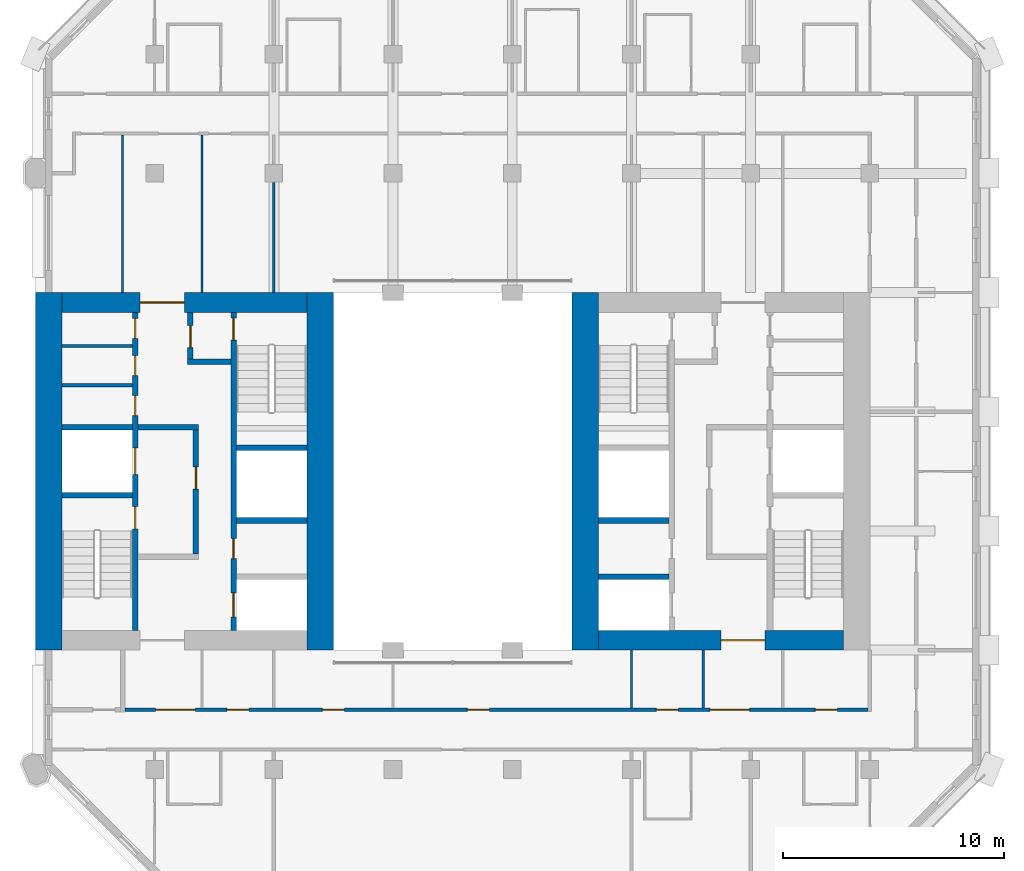
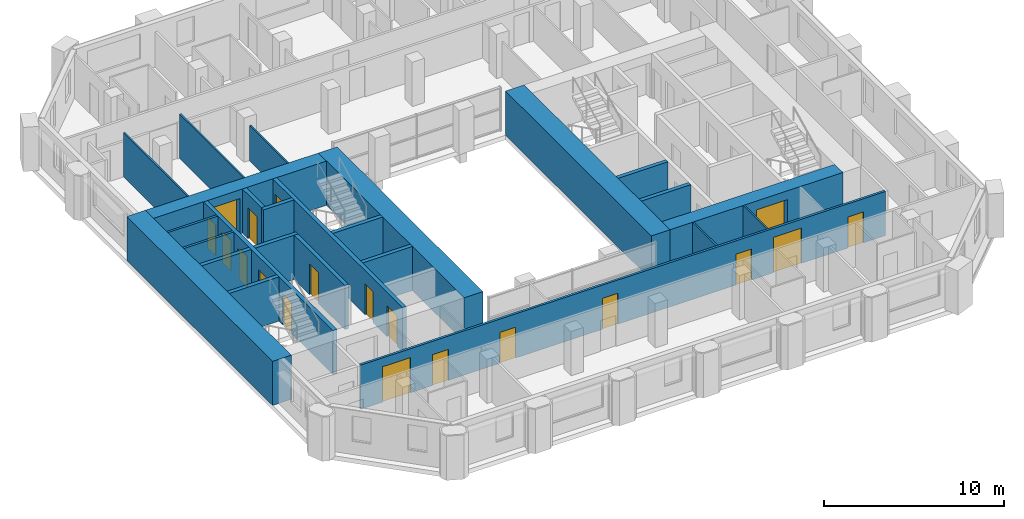
# One storey, part 5 of 12: 25 walls, 19 doors, 19 openings.
"""IFC4 building model written with IfcOpenShell, lengths in metres."""

from ifc_helpers import new_model, si_unit, direction, frame, frame_2d, origin, place, context, subcontext, project, spatial, rectangle, extrude, material, layer, layer_set, type_object, element, fill, save


model = new_model("IFC4")

# Units and contexts
model_context = context("Model", 3, precision=1e-05, world=origin(), true_north=direction((0.0, 1.0)))
body_context = subcontext(model_context, "Body", "Model", "MODEL_VIEW")
ifc_project = project(units=[si_unit("LENGTHUNIT", "METRE"), si_unit("AREAUNIT", "SQUARE_METRE"), si_unit("VOLUMEUNIT", "CUBIC_METRE"), si_unit("PLANEANGLEUNIT", "RADIAN"), si_unit("MASSUNIT", "GRAM", prefix="KILO")], contexts=[model_context])

# Site, building, storey
site_placement = place(None, origin())
site = spatial("IfcSite", under=ifc_project, at=site_placement, CompositionType="ELEMENT")
building_placement = place(site_placement, origin())
building = spatial("IfcBuilding", under=site, at=building_placement, Name="Tabaq Tower and Sports Hall", CompositionType="ELEMENT")
storey_placement = place(building_placement, frame((0.0, 0.0, 190.60009765625)))
storey = spatial("IfcBuildingStorey", under=building, at=storey_placement, Name="L46", CompositionType="ELEMENT", Elevation=190.60009765625)

# Walls
ifc_material_1 = material(Name="Blockwork", Category="masonry")
ifc_layer_1 = layer(ifc_material_1, 0.14990234375)
ifc_layer_set_1 = layer_set([ifc_layer_1], Name="Core room partition 150 Blockwork")
wall_type_1 = type_object("IfcWallType", Name="Core room partition 150 Blockwork", PredefinedType="PARTITIONING", material=ifc_layer_set_1)
for number, where, z_axis, x_axis, name in (
    (1, (6.60009765625, 28.200927734375, 0.0), (0.0, 0.0, 1.0), (1.0, 0.0, 0.0), "Core room partition W L46"),
    (2, (6.60009765625, 29.97705078125, 0.0), (0.0, 0.0, 1.0), (1.0, 0.0, 0.0), "Core room partition W L46"),
):
    element("IfcWall", number, at=place(storey_placement, frame(where, z_axis=z_axis, x_axis=x_axis)), inside=storey, type_object=wall_type_1, Name=name, PredefinedType="PARTITIONING", context=body_context, shape_type="SweptSolid", body=[
        extrude(rectangle(XDim=3.199951171875, YDim=0.14990234375, at=frame_2d((1.60009765625, 0.0))), origin(), (0.0, 0.0, 1.0), 3.0),
    ])
ifc_material_2 = material(Name="Concrete C50/60", Category="concrete")
ifc_layer_2 = layer(ifc_material_2, 1.199951171875)
ifc_layer_set_2 = layer_set([ifc_layer_2], Name="Core wall 1200 Concrete C50/60")
wall_type_2 = type_object("IfcWallType", Name="Core wall 1200 Concrete C50/60", PredefinedType="SOLIDWALL", material=ifc_layer_set_2)
for number, where, z_axis, x_axis, name in (
    (3, (6.0, 16.199951171875, 0.0), (0.0, 0.0, 1.0), (0.0, 1.0, 0.0), "Core wall W L46"),
    (4, (18.300048828125, 32.39990234375, 0.0), (0.0, 0.0, 1.0), (0.0, -1.0, 0.0), "Core wall W L46"),
    (5, (30.300048828125, 16.199951171875, 0.0), (0.0, 0.0, 1.0), (0.0, 1.0, 0.0), "Core wall E L46"),
):
    element("IfcWall", number, at=place(storey_placement, frame(where, z_axis=z_axis, x_axis=x_axis)), inside=storey, type_object=wall_type_2, Name=name, PredefinedType="SOLIDWALL", context=body_context, shape_type="SweptSolid", body=[
        extrude(rectangle(XDim=16.199951171875, YDim=1.199951171875, at=frame_2d((8.10009765625, 0.0))), origin(), (0.0, 0.0, 1.0), 3.0),
    ])

# Wall, opening, door
ifc_material_3 = material(Name="Concrete C50/60", Category="concrete")
ifc_layer_3 = layer(ifc_material_3, 0.89990234375)
ifc_layer_set_3 = layer_set([ifc_layer_3], Name="Core wall 900 Concrete C50/60")
wall_type_3 = type_object("IfcWallType", Name="Core wall 900 Concrete C50/60", PredefinedType="SOLIDWALL", material=ifc_layer_set_3)
wall_1_placement = place(storey_placement, frame((6.60009765625, 31.949951171875, 0.0), z_axis=(0.0, 0.0, 1.0), x_axis=(1.0, 0.0, 0.0)))
wall_1 = element("IfcWall", 6, at=wall_1_placement, inside=storey, type_object=wall_type_3, Name="Core wall W L46", PredefinedType="SOLIDWALL", context=body_context, shape_type="SweptSolid", body=[
    extrude(rectangle(XDim=11.099853515625, YDim=0.89990234375, at=frame_2d((5.5498046875, 0.0))), origin(), (0.0, 0.0, 1.0), 3.0),
])
opening_1_placement = place(wall_1_placement, frame((3.550048828125, 0.0, 0.0)))
opening_1 = element("IfcOpeningElement", 7, at=opening_1_placement, cuts=wall_1, Name="Opening PD-WL46-02", PredefinedType="OPENING", context=body_context, shape_type="SweptSolid", body=[
    extrude(rectangle(XDim=2.0, YDim=2.39990234375, at=frame_2d((1.0, 1.199951171875))), frame((0.0, 0.449951171875, 0.0), z_axis=(0.0, -1.0, 0.0), x_axis=(1.0, 0.0, 0.0)), (0.0, 0.0, 1.0), 0.89990234375),
])
ifc_material_4 = material(Name="Steel fire door", Category="steel")
door_type_1 = type_object("IfcDoorType", Name="Core entrance door 2000", OperationType="DOUBLE_DOOR_SINGLE_SWING", PredefinedType="DOOR", material=ifc_material_4)
door_1_placement = place(opening_1_placement, origin())
door_1 = element("IfcDoor", 8, at=door_1_placement, inside=storey, type_object=door_type_1, Name="Core entrance north W L46", OperationType="DOUBLE_DOOR_SINGLE_SWING", OverallHeight=2.39990234375, OverallWidth=2.0, PredefinedType="DOOR", context=body_context, shape_type="SweptSolid", body=[
    extrude(rectangle(XDim=2.0, YDim=2.39990234375, at=frame_2d((1.0, 1.199951171875))), frame((0.0, 0.02490234375, 0.0), z_axis=(0.0, -1.0, 0.0), x_axis=(1.0, 0.0, 0.0)), (0.0, 0.0, 1.0), 0.050048828125),
])
fill(opening_1, door_1)

wall_2_placement = place(storey_placement, frame((42.0, 16.64990234375, 0.0), z_axis=(0.0, 0.0, 1.0), x_axis=(-1.0, 0.0, 0.0)))
wall_2 = element("IfcWall", 9, at=wall_2_placement, inside=storey, type_object=wall_type_3, Name="Core wall E L46", PredefinedType="SOLIDWALL", context=body_context, shape_type="SweptSolid", body=[
    extrude(rectangle(XDim=11.10009765625, YDim=0.89990234375, at=frame_2d((5.550048828125, 0.0))), origin(), (0.0, 0.0, 1.0), 3.0),
])
opening_2_placement = place(wall_2_placement, frame((3.550048828125, 0.0, 0.0)))
opening_2 = element("IfcOpeningElement", 10, at=opening_2_placement, cuts=wall_2, Name="Opening PD-EL46-01", PredefinedType="OPENING", context=body_context, shape_type="SweptSolid", body=[
    extrude(rectangle(XDim=2.0, YDim=2.39990234375, at=frame_2d((1.0, 1.199951171875))), frame((0.0, 0.449951171875, 0.0), z_axis=(0.0, -1.0, 0.0), x_axis=(1.0, 0.0, 0.0)), (0.0, 0.0, 1.0), 0.89990234375),
])
door_2_placement = place(opening_2_placement, origin())
door_2 = element("IfcDoor", 11, at=door_2_placement, inside=storey, type_object=door_type_1, Name="Core entrance south E L46", OperationType="DOUBLE_DOOR_SINGLE_SWING", OverallHeight=2.39990234375, OverallWidth=2.0, PredefinedType="DOOR", context=body_context, shape_type="SweptSolid", body=[
    extrude(rectangle(XDim=2.0, YDim=2.39990234375, at=frame_2d((1.0, 1.199951171875))), frame((0.0, 0.02490234375, 0.0), z_axis=(0.0, -1.0, 0.0), x_axis=(1.0, 0.0, 0.0)), (0.0, 0.0, 1.0), 0.050048828125),
])
fill(opening_2, door_2)

# Walls
ifc_material_5 = material(Name="Gypsum board on steel studs", Category="steel")
ifc_layer_4 = layer(ifc_material_5, 0.10009765625)
ifc_layer_set_4 = layer_set([ifc_layer_4], Name="Partition 100 Gypsum board")
wall_type_4 = type_object("IfcWallType", Name="Partition 100 Gypsum board", PredefinedType="PARTITIONING", material=ifc_layer_set_4)
wall_3_placement = place(storey_placement, frame((16.199951171875, 37.3798828125, 0.0), z_axis=(0.0, 0.0, 1.0), x_axis=(0.0, -1.0, 0.0)))
element("IfcWall", 12, at=wall_3_placement, inside=storey, type_object=wall_type_4, Name="Partition wall L46", PredefinedType="PARTITIONING", context=body_context, shape_type="SweptSolid", body=[
    extrude(rectangle(XDim=4.97998046875, YDim=0.10009765625, at=frame_2d((2.489990234375, 0.0))), origin(), (0.0, 0.0, 1.0), 2.39990234375),
])
for number, where, z_axis, x_axis, name in (
    (13, (9.35009765625, 39.52490234375, 0.0), (0.0, 0.0, 1.0), (0.0, -1.0, 0.0), "Partition wall L46"),
    (14, (12.949951171875, 32.39990234375, 0.0), (0.0, 0.0, 1.0), (0.0, 1.0, 0.0), "Partition wall L46"),
):
    element("IfcWall", number, at=place(storey_placement, frame(where, z_axis=z_axis, x_axis=x_axis)), inside=storey, type_object=wall_type_4, Name=name, PredefinedType="PARTITIONING", context=body_context, shape_type="SweptSolid", body=[
        extrude(rectangle(XDim=7.125, YDim=0.10009765625, at=frame_2d((3.5625, 0.0))), origin(), (0.0, 0.0, 1.0), 3.0),
    ])
for number, where, z_axis, x_axis, name in (
    (15, (32.39990234375, 13.574951171875, 0.0), (0.0, 0.0, 1.0), (0.0, 1.0, 0.0), "Partition wall L46"),
    (16, (35.64990234375, 16.199951171875, 0.0), (0.0, 0.0, 1.0), (0.0, -1.0, 0.0), "Partition wall L46"),
):
    element("IfcWall", number, at=place(storey_placement, frame(where, z_axis=z_axis, x_axis=x_axis)), inside=storey, type_object=wall_type_4, Name=name, PredefinedType="PARTITIONING", context=body_context, shape_type="SweptSolid", body=[
        extrude(rectangle(XDim=2.625, YDim=0.10009765625, at=frame_2d((1.3125, 0.0))), origin(), (0.0, 0.0, 1.0), 3.0),
    ])

# Wall, openings, doors
ifc_material_6 = material(Name="Blockwork", Category="masonry")
ifc_layer_5 = layer(ifc_material_6, 0.14990234375)
ifc_layer_set_5 = layer_set([ifc_layer_5], Name="Separating wall 150 Blockwork")
wall_type_5 = type_object("IfcWallType", Name="Separating wall 150 Blockwork", PredefinedType="PARTITIONING", material=ifc_layer_set_5)
wall_4_placement = place(storey_placement, frame((9.449951171875, 13.5, 0.0), z_axis=(0.0, 0.0, 1.0), x_axis=(1.0, 0.0, 0.0)))
wall_4 = element("IfcWall", 17, at=wall_4_placement, inside=storey, type_object=wall_type_5, Name="Separating wall L46", PredefinedType="PARTITIONING", context=body_context, shape_type="SweptSolid", body=[
    extrude(rectangle(XDim=33.675048828125, YDim=0.14990234375, at=frame_2d((16.83740234375, 0.0))), origin(), (0.0, 0.0, 1.0), 3.0),
])
opening_3_placement = place(wall_4_placement, frame((8.949951171875, 0.0, 0.0)))
opening_3 = element("IfcOpeningElement", 18, at=opening_3_placement, cuts=wall_4, Name="Opening L46-018", PredefinedType="OPENING", context=body_context, shape_type="SweptSolid", body=[
    extrude(rectangle(XDim=1.0, YDim=2.10009765625, at=frame_2d((0.5, 1.050048828125))), frame((0.0, 0.074951171875, 0.0), z_axis=(0.0, -1.0, 0.0), x_axis=(1.0, 0.0, 0.0)), (0.0, 0.0, 1.0), 0.14990234375),
])
opening_4_placement = place(wall_4_placement, frame((15.51708984375, 0.0, 0.0)))
opening_4 = element("IfcOpeningElement", 19, at=opening_4_placement, cuts=wall_4, Name="Opening L46-019", PredefinedType="OPENING", context=body_context, shape_type="SweptSolid", body=[
    extrude(rectangle(XDim=1.0, YDim=2.10009765625, at=frame_2d((0.5, 1.050048828125))), frame((0.0, 0.074951171875, 0.0), z_axis=(0.0, -1.0, 0.0), x_axis=(1.0, 0.0, 0.0)), (0.0, 0.0, 1.0), 0.14990234375),
])
opening_5_placement = place(wall_4_placement, frame((24.074951171875, 0.0, 0.0)))
opening_5 = element("IfcOpeningElement", 20, at=opening_5_placement, cuts=wall_4, Name="Opening L46-022", PredefinedType="OPENING", context=body_context, shape_type="SweptSolid", body=[
    extrude(rectangle(XDim=1.0, YDim=2.10009765625, at=frame_2d((0.5, 1.050048828125))), frame((0.0, 0.074951171875, 0.0), z_axis=(0.0, -1.0, 0.0), x_axis=(1.0, 0.0, 0.0)), (0.0, 0.0, 1.0), 0.14990234375),
])
opening_6_placement = place(wall_4_placement, frame((31.27490234375, 0.0, 0.0)))
opening_6 = element("IfcOpeningElement", 21, at=opening_6_placement, cuts=wall_4, Name="Opening L46-023", PredefinedType="OPENING", context=body_context, shape_type="SweptSolid", body=[
    extrude(rectangle(XDim=1.0, YDim=2.10009765625, at=frame_2d((0.5, 1.050048828125))), frame((0.0, 0.074951171875, 0.0), z_axis=(0.0, -1.0, 0.0), x_axis=(1.0, 0.0, 0.0)), (0.0, 0.0, 1.0), 0.14990234375),
])
opening_7_placement = place(wall_4_placement, frame((4.625, 0.0, 0.0)))
opening_7 = element("IfcOpeningElement", 22, at=opening_7_placement, cuts=wall_4, Name="Opening L46-024", PredefinedType="OPENING", context=body_context, shape_type="SweptSolid", body=[
    extrude(rectangle(XDim=1.0, YDim=2.10009765625, at=frame_2d((0.5, 1.050048828125))), frame((0.0, 0.074951171875, 0.0), z_axis=(0.0, -1.0, 0.0), x_axis=(1.0, 0.0, 0.0)), (0.0, 0.0, 1.0), 0.14990234375),
])
opening_8_placement = place(wall_4_placement, frame((1.39990234375, 0.0, 0.0)))
opening_8 = element("IfcOpeningElement", 23, at=opening_8_placement, cuts=wall_4, Name="Opening L46-040", PredefinedType="OPENING", context=body_context, shape_type="SweptSolid", body=[
    extrude(rectangle(XDim=1.800048828125, YDim=2.39990234375, at=frame_2d((0.89990234375, 1.199951171875))), frame((0.0, 0.074951171875, 0.0), z_axis=(0.0, -1.0, 0.0), x_axis=(1.0, 0.0, 0.0)), (0.0, 0.0, 1.0), 0.14990234375),
])
opening_9_placement = place(wall_4_placement, frame((26.5, 0.0, 0.0)))
opening_9 = element("IfcOpeningElement", 24, at=opening_9_placement, cuts=wall_4, Name="Opening L46-041", PredefinedType="OPENING", context=body_context, shape_type="SweptSolid", body=[
    extrude(rectangle(XDim=1.800048828125, YDim=2.39990234375, at=frame_2d((0.89990234375, 1.199951171875))), frame((0.0, 0.074951171875, 0.0), z_axis=(0.0, -1.0, 0.0), x_axis=(1.0, 0.0, 0.0)), (0.0, 0.0, 1.0), 0.14990234375),
])
ifc_material_7 = material(Name="Timber leaf in steel frame", Category="steel")
door_type_2 = type_object("IfcDoorType", Name="Internal door 1000 left hand", OperationType="SINGLE_SWING_LEFT", PredefinedType="DOOR", material=ifc_material_7)
door_3_placement = place(opening_6_placement, origin())
door_3 = element("IfcDoor", 25, at=door_3_placement, inside=storey, type_object=door_type_2, Name="Internal door L46-023", OperationType="SINGLE_SWING_LEFT", OverallHeight=2.10009765625, OverallWidth=1.0, PredefinedType="DOOR", context=body_context, shape_type="SweptSolid", body=[
    extrude(rectangle(XDim=1.0, YDim=2.10009765625, at=frame_2d((0.5, 1.050048828125))), frame((0.0, 0.02490234375, 0.0), z_axis=(0.0, -1.0, 0.0), x_axis=(1.0, 0.0, 0.0)), (0.0, 0.0, 1.0), 0.050048828125),
])
fill(opening_6, door_3)
ifc_material_8 = material(Name="Timber leaf in steel frame", Category="steel")
door_type_3 = type_object("IfcDoorType", Name="Internal door 1000 right hand", OperationType="SINGLE_SWING_RIGHT", PredefinedType="DOOR", material=ifc_material_8)
door_4_placement = place(opening_3_placement, origin())
door_4 = element("IfcDoor", 26, at=door_4_placement, inside=storey, type_object=door_type_3, Name="Internal door L46-018", OperationType="SINGLE_SWING_RIGHT", OverallHeight=2.10009765625, OverallWidth=1.0, PredefinedType="DOOR", context=body_context, shape_type="SweptSolid", body=[
    extrude(rectangle(XDim=1.0, YDim=2.10009765625, at=frame_2d((0.5, 1.050048828125))), frame((0.0, 0.02490234375, 0.0), z_axis=(0.0, -1.0, 0.0), x_axis=(1.0, 0.0, 0.0)), (0.0, 0.0, 1.0), 0.050048828125),
])
fill(opening_3, door_4)
door_5_placement = place(opening_4_placement, origin())
door_5 = element("IfcDoor", 27, at=door_5_placement, inside=storey, type_object=door_type_3, Name="Internal door L46-019", OperationType="SINGLE_SWING_RIGHT", OverallHeight=2.10009765625, OverallWidth=1.0, PredefinedType="DOOR", context=body_context, shape_type="SweptSolid", body=[
    extrude(rectangle(XDim=1.0, YDim=2.10009765625, at=frame_2d((0.5, 1.050048828125))), frame((0.0, 0.02490234375, 0.0), z_axis=(0.0, -1.0, 0.0), x_axis=(1.0, 0.0, 0.0)), (0.0, 0.0, 1.0), 0.050048828125),
])
fill(opening_4, door_5)
door_6_placement = place(opening_5_placement, origin())
door_6 = element("IfcDoor", 28, at=door_6_placement, inside=storey, type_object=door_type_3, Name="Internal door L46-022", OperationType="SINGLE_SWING_RIGHT", OverallHeight=2.10009765625, OverallWidth=1.0, PredefinedType="DOOR", context=body_context, shape_type="SweptSolid", body=[
    extrude(rectangle(XDim=1.0, YDim=2.10009765625, at=frame_2d((0.5, 1.050048828125))), frame((0.0, 0.02490234375, 0.0), z_axis=(0.0, -1.0, 0.0), x_axis=(1.0, 0.0, 0.0)), (0.0, 0.0, 1.0), 0.050048828125),
])
fill(opening_5, door_6)
door_7_placement = place(opening_7_placement, origin())
door_7 = element("IfcDoor", 29, at=door_7_placement, inside=storey, type_object=door_type_3, Name="Internal door L46-024", OperationType="SINGLE_SWING_RIGHT", OverallHeight=2.10009765625, OverallWidth=1.0, PredefinedType="DOOR", context=body_context, shape_type="SweptSolid", body=[
    extrude(rectangle(XDim=1.0, YDim=2.10009765625, at=frame_2d((0.5, 1.050048828125))), frame((0.0, 0.02490234375, 0.0), z_axis=(0.0, -1.0, 0.0), x_axis=(1.0, 0.0, 0.0)), (0.0, 0.0, 1.0), 0.050048828125),
])
fill(opening_7, door_7)
ifc_material_9 = material(Name="Timber leaf in steel frame", Category="steel")
door_type_4 = type_object("IfcDoorType", Name="Internal door 1800", OperationType="DOUBLE_DOOR_SINGLE_SWING", PredefinedType="DOOR", material=ifc_material_9)
door_8_placement = place(opening_8_placement, origin())
door_8 = element("IfcDoor", 30, at=door_8_placement, inside=storey, type_object=door_type_4, Name="Internal door L46-040", OperationType="DOUBLE_DOOR_SINGLE_SWING", OverallHeight=2.39990234375, OverallWidth=1.800048828125, PredefinedType="DOOR", context=body_context, shape_type="SweptSolid", body=[
    extrude(rectangle(XDim=1.800048828125, YDim=2.39990234375, at=frame_2d((0.89990234375, 1.199951171875))), frame((0.0, 0.02490234375, 0.0), z_axis=(0.0, -1.0, 0.0), x_axis=(1.0, 0.0, 0.0)), (0.0, 0.0, 1.0), 0.050048828125),
])
fill(opening_8, door_8)
door_9_placement = place(opening_9_placement, origin())
door_9 = element("IfcDoor", 31, at=door_9_placement, inside=storey, type_object=door_type_4, Name="Internal door L46-041", OperationType="DOUBLE_DOOR_SINGLE_SWING", OverallHeight=2.39990234375, OverallWidth=1.800048828125, PredefinedType="DOOR", context=body_context, shape_type="SweptSolid", body=[
    extrude(rectangle(XDim=1.800048828125, YDim=2.39990234375, at=frame_2d((0.89990234375, 1.199951171875))), frame((0.0, 0.02490234375, 0.0), z_axis=(0.0, -1.0, 0.0), x_axis=(1.0, 0.0, 0.0)), (0.0, 0.0, 1.0), 0.050048828125),
])
fill(opening_9, door_9)

ifc_material_10 = material(Name="Concrete C40/50", Category="concrete")
ifc_layer_6 = layer(ifc_material_10, 0.25)
ifc_layer_set_6 = layer_set([ifc_layer_6], Name="Shaft and stair wall 250 Concrete C40/50")
wall_type_6 = type_object("IfcWallType", Name="Shaft and stair wall 250 Concrete C40/50", PredefinedType="SOLIDWALL", material=ifc_layer_set_6)
wall_5_placement = place(storey_placement, frame((9.925048828125, 17.10009765625, 0.0), z_axis=(0.0, 0.0, 1.0), x_axis=(0.0, 1.0, 0.0)))
wall_5 = element("IfcWall", 32, at=wall_5_placement, inside=storey, type_object=wall_type_6, Name="Shaft wall W L46", PredefinedType="SOLIDWALL", context=body_context, shape_type="SweptSolid", body=[
    extrude(rectangle(XDim=14.39990234375, YDim=0.25, at=frame_2d((7.199951171875, 0.0))), origin(), (0.0, 0.0, 1.0), 3.0),
])
opening_10_placement = place(wall_5_placement, frame((4.60009765625, 0.0, 0.0)))
opening_10 = element("IfcOpeningElement", 33, at=opening_10_placement, cuts=wall_5, Name="Opening SD-WL46-03", PredefinedType="OPENING", context=body_context, shape_type="SweptSolid", body=[
    extrude(rectangle(XDim=1.0, YDim=2.10009765625, at=frame_2d((0.5, 1.050048828125))), frame((0.0, 0.125, 0.0), z_axis=(0.0, -1.0, 0.0), x_axis=(1.0, 0.0, 0.0)), (0.0, 0.0, 1.0), 0.25),
])
opening_11_placement = place(wall_5_placement, frame((7.0625, 0.0, 0.0)))
opening_11 = element("IfcOpeningElement", 34, at=opening_11_placement, cuts=wall_5, Name="Opening LD-FF1-L46", PredefinedType="OPENING", context=body_context, shape_type="SweptSolid", body=[
    extrude(rectangle(XDim=1.199951171875, YDim=2.10009765625, at=frame_2d((0.60009765625, 1.050048828125))), frame((0.0, 0.125, 0.0), z_axis=(0.0, -1.0, 0.0), x_axis=(1.0, 0.0, 0.0)), (0.0, 0.0, 1.0), 0.25),
])
opening_12_placement = place(wall_5_placement, frame((9.7255859375, 0.0, 0.0)))
opening_12 = element("IfcOpeningElement", 35, at=opening_12_placement, cuts=wall_5, Name="Opening RD-WL46-09", PredefinedType="OPENING", context=body_context, shape_type="SweptSolid", body=[
    extrude(rectangle(XDim=0.89990234375, YDim=2.10009765625, at=frame_2d((0.449951171875, 1.050048828125))), frame((0.0, 0.125, 0.0), z_axis=(0.0, -1.0, 0.0), x_axis=(1.0, 0.0, 0.0)), (0.0, 0.0, 1.0), 0.25),
])
opening_13_placement = place(wall_5_placement, frame((11.5390625, 0.0, 0.0)))
opening_13 = element("IfcOpeningElement", 36, at=opening_13_placement, cuts=wall_5, Name="Opening RD-WL46-10", PredefinedType="OPENING", context=body_context, shape_type="SweptSolid", body=[
    extrude(rectangle(XDim=0.89990234375, YDim=2.10009765625, at=frame_2d((0.449951171875, 1.050048828125))), frame((0.0, 0.125, 0.0), z_axis=(0.0, -1.0, 0.0), x_axis=(1.0, 0.0, 0.0)), (0.0, 0.0, 1.0), 0.25),
])
opening_14_placement = place(wall_5_placement, frame((13.22607421875, 0.0, 0.0)))
opening_14 = element("IfcOpeningElement", 37, at=opening_14_placement, cuts=wall_5, Name="Opening RD-WL46-11", PredefinedType="OPENING", context=body_context, shape_type="SweptSolid", body=[
    extrude(rectangle(XDim=0.89990234375, YDim=2.10009765625, at=frame_2d((0.449951171875, 1.050048828125))), frame((0.0, 0.125, 0.0), z_axis=(0.0, -1.0, 0.0), x_axis=(1.0, 0.0, 0.0)), (0.0, 0.0, 1.0), 0.25),
])
ifc_material_11 = material(Name="Steel fire door", Category="steel")
door_type_5 = type_object("IfcDoorType", Name="Core room door 900", OperationType="SINGLE_SWING_LEFT", PredefinedType="DOOR", material=ifc_material_11)
door_10_placement = place(opening_12_placement, origin())
door_10 = element("IfcDoor", 38, at=door_10_placement, inside=storey, type_object=door_type_5, Name="Door Accessible WC W L46", OperationType="SINGLE_SWING_LEFT", OverallHeight=2.10009765625, OverallWidth=0.89990234375, PredefinedType="DOOR", context=body_context, shape_type="SweptSolid", body=[
    extrude(rectangle(XDim=0.89990234375, YDim=2.10009765625, at=frame_2d((0.449951171875, 1.050048828125))), frame((0.0, 0.02490234375, 0.0), z_axis=(0.0, -1.0, 0.0), x_axis=(1.0, 0.0, 0.0)), (0.0, 0.0, 1.0), 0.050048828125),
])
fill(opening_12, door_10)
door_11_placement = place(opening_13_placement, origin())
door_11 = element("IfcDoor", 39, at=door_11_placement, inside=storey, type_object=door_type_5, Name="Door Unisex WC W L46", OperationType="SINGLE_SWING_LEFT", OverallHeight=2.10009765625, OverallWidth=0.89990234375, PredefinedType="DOOR", context=body_context, shape_type="SweptSolid", body=[
    extrude(rectangle(XDim=0.89990234375, YDim=2.10009765625, at=frame_2d((0.449951171875, 1.050048828125))), frame((0.0, 0.02490234375, 0.0), z_axis=(0.0, -1.0, 0.0), x_axis=(1.0, 0.0, 0.0)), (0.0, 0.0, 1.0), 0.050048828125),
])
fill(opening_13, door_11)
door_12_placement = place(opening_14_placement, origin())
door_12 = element("IfcDoor", 40, at=door_12_placement, inside=storey, type_object=door_type_5, Name="Door Cleaner's Store W L46", OperationType="SINGLE_SWING_LEFT", OverallHeight=2.10009765625, OverallWidth=0.89990234375, PredefinedType="DOOR", context=body_context, shape_type="SweptSolid", body=[
    extrude(rectangle(XDim=0.89990234375, YDim=2.10009765625, at=frame_2d((0.449951171875, 1.050048828125))), frame((0.0, 0.02490234375, 0.0), z_axis=(0.0, -1.0, 0.0), x_axis=(1.0, 0.0, 0.0)), (0.0, 0.0, 1.0), 0.050048828125),
])
fill(opening_14, door_12)
ifc_material_12 = material(Name="Stainless steel", Category="steel")
door_type_6 = type_object("IfcDoorType", Name="Lift landing door 1200", OperationType="DOUBLE_DOOR_SLIDING", PredefinedType="DOOR", material=ifc_material_12)
door_13_placement = place(opening_11_placement, origin())
door_13 = element("IfcDoor", 41, at=door_13_placement, inside=storey, type_object=door_type_6, Name="Lift landing door FF1 W L46", OperationType="DOUBLE_DOOR_SLIDING", OverallHeight=2.10009765625, OverallWidth=1.199951171875, PredefinedType="DOOR", context=body_context, shape_type="SweptSolid", body=[
    extrude(rectangle(XDim=1.199951171875, YDim=2.10009765625, at=frame_2d((0.60009765625, 1.050048828125))), frame((0.0, 0.02490234375, 0.0), z_axis=(0.0, -1.0, 0.0), x_axis=(1.0, 0.0, 0.0)), (0.0, 0.0, 1.0), 0.050048828125),
])
fill(opening_11, door_13)
ifc_material_13 = material(Name="Steel fire door", Category="steel")
door_type_7 = type_object("IfcDoorType", Name="Stair door 1000", OperationType="SINGLE_SWING_LEFT", PredefinedType="DOOR", material=ifc_material_13)
door_14_placement = place(opening_10_placement, origin())
door_14 = element("IfcDoor", 42, at=door_14_placement, inside=storey, type_object=door_type_7, Name="Stair door ST1 W L46", OperationType="SINGLE_SWING_LEFT", OverallHeight=2.10009765625, OverallWidth=1.0, PredefinedType="DOOR", context=body_context, shape_type="SweptSolid", body=[
    extrude(rectangle(XDim=1.0, YDim=2.10009765625, at=frame_2d((0.5, 1.050048828125))), frame((0.0, 0.02490234375, 0.0), z_axis=(0.0, -1.0, 0.0), x_axis=(1.0, 0.0, 0.0)), (0.0, 0.0, 1.0), 0.050048828125),
])
fill(opening_10, door_14)

wall_6_placement = place(storey_placement, frame((14.375, 17.10009765625, 0.0), z_axis=(0.0, 0.0, 1.0), x_axis=(0.0, 1.0, 0.0)))
wall_6 = element("IfcWall", 43, at=wall_6_placement, inside=storey, type_object=wall_type_6, Name="Shaft wall W L46", PredefinedType="SOLIDWALL", context=body_context, shape_type="SweptSolid", body=[
    extrude(rectangle(XDim=14.39990234375, YDim=0.25, at=frame_2d((7.199951171875, 0.0))), origin(), (0.0, 0.0, 1.0), 3.0),
])
opening_15_placement = place(wall_6_placement, frame((13.14990234375, 0.0, 0.0)))
opening_15 = element("IfcOpeningElement", 44, at=opening_15_placement, cuts=wall_6, Name="Opening SD-WL46-05", PredefinedType="OPENING", context=body_context, shape_type="SweptSolid", body=[
    extrude(rectangle(XDim=1.0, YDim=2.10009765625, at=frame_2d((0.5, 1.050048828125))), frame((0.0, 0.125, 0.0), z_axis=(0.0, -1.0, 0.0), x_axis=(1.0, 0.0, 0.0)), (0.0, 0.0, 1.0), 0.25),
])
opening_16_placement = place(wall_6_placement, frame((0.60009765625, 0.0, 0.0)))
opening_16 = element("IfcOpeningElement", 45, at=opening_16_placement, cuts=wall_6, Name="Opening LD-MR1-L46", PredefinedType="OPENING", context=body_context, shape_type="SweptSolid", body=[
    extrude(rectangle(XDim=1.10009765625, YDim=2.10009765625, at=frame_2d((0.550048828125, 1.050048828125))), frame((0.0, 0.125, 0.0), z_axis=(0.0, -1.0, 0.0), x_axis=(1.0, 0.0, 0.0)), (0.0, 0.0, 1.0), 0.25),
])
opening_17_placement = place(wall_6_placement, frame((3.25, 0.0, 0.0)))
opening_17 = element("IfcOpeningElement", 46, at=opening_17_placement, cuts=wall_6, Name="Opening RD-WL46-12", PredefinedType="OPENING", context=body_context, shape_type="SweptSolid", body=[
    extrude(rectangle(XDim=0.89990234375, YDim=2.10009765625, at=frame_2d((0.449951171875, 1.050048828125))), frame((0.0, 0.125, 0.0), z_axis=(0.0, -1.0, 0.0), x_axis=(1.0, 0.0, 0.0)), (0.0, 0.0, 1.0), 0.25),
])
door_15_placement = place(opening_17_placement, origin())
door_15 = element("IfcDoor", 47, at=door_15_placement, inside=storey, type_object=door_type_5, Name="Door Cleaner's Store W L46", OperationType="SINGLE_SWING_LEFT", OverallHeight=2.10009765625, OverallWidth=0.89990234375, PredefinedType="DOOR", context=body_context, shape_type="SweptSolid", body=[
    extrude(rectangle(XDim=0.89990234375, YDim=2.10009765625, at=frame_2d((0.449951171875, 1.050048828125))), frame((0.0, 0.02490234375, 0.0), z_axis=(0.0, -1.0, 0.0), x_axis=(1.0, 0.0, 0.0)), (0.0, 0.0, 1.0), 0.050048828125),
])
fill(opening_17, door_15)
ifc_material_14 = material(Name="Stainless steel", Category="steel")
door_type_8 = type_object("IfcDoorType", Name="Lift landing door 1100", OperationType="DOUBLE_DOOR_SLIDING", PredefinedType="DOOR", material=ifc_material_14)
door_16_placement = place(opening_16_placement, origin())
door_16 = element("IfcDoor", 48, at=door_16_placement, inside=storey, type_object=door_type_8, Name="Lift landing door MR1 W L46", OperationType="DOUBLE_DOOR_SLIDING", OverallHeight=2.10009765625, OverallWidth=1.10009765625, PredefinedType="DOOR", context=body_context, shape_type="SweptSolid", body=[
    extrude(rectangle(XDim=1.10009765625, YDim=2.10009765625, at=frame_2d((0.550048828125, 1.050048828125))), frame((0.0, 0.02490234375, 0.0), z_axis=(0.0, -1.0, 0.0), x_axis=(1.0, 0.0, 0.0)), (0.0, 0.0, 1.0), 0.050048828125),
])
fill(opening_16, door_16)
door_17_placement = place(opening_15_placement, origin())
door_17 = element("IfcDoor", 49, at=door_17_placement, inside=storey, type_object=door_type_7, Name="Stair door ST2 W L46", OperationType="SINGLE_SWING_LEFT", OverallHeight=2.10009765625, OverallWidth=1.0, PredefinedType="DOOR", context=body_context, shape_type="SweptSolid", body=[
    extrude(rectangle(XDim=1.0, YDim=2.10009765625, at=frame_2d((0.5, 1.050048828125))), frame((0.0, 0.02490234375, 0.0), z_axis=(0.0, -1.0, 0.0), x_axis=(1.0, 0.0, 0.0)), (0.0, 0.0, 1.0), 0.050048828125),
])
fill(opening_15, door_17)

# Walls
for number, where, z_axis, x_axis, name in (
    (50, (6.60009765625, 23.22509765625, 0.0), (0.0, 0.0, 1.0), (1.0, 0.0, 0.0), "Stair enclosure wall W L46"),
    (51, (14.5, 25.375, 0.0), (0.0, 0.0, 1.0), (1.0, 0.0, 0.0), "Stair enclosure wall W L46"),
    (52, (14.5, 22.074951171875, 0.0), (0.0, 0.0, 1.0), (1.0, 0.0, 0.0), "Shaft wall W L46"),
    (53, (6.60009765625, 26.300048828125, 0.0), (0.0, 0.0, 1.0), (1.0, 0.0, 0.0), "Shaft wall W L46"),
):
    element("IfcWall", number, at=place(storey_placement, frame(where, z_axis=z_axis, x_axis=x_axis)), inside=storey, type_object=wall_type_6, Name=name, PredefinedType="SOLIDWALL", context=body_context, shape_type="SweptSolid", body=[
        extrude(rectangle(XDim=3.199951171875, YDim=0.25, at=frame_2d((1.60009765625, 0.0))), origin(), (0.0, 0.0, 1.0), 3.0),
    ])
wall_7_placement = place(storey_placement, frame((10.050048828125, 26.300048828125, 0.0), z_axis=(0.0, 0.0, 1.0), x_axis=(1.0, 0.0, 0.0)))
element("IfcWall", 54, at=wall_7_placement, inside=storey, type_object=wall_type_6, Name="Fire-fighting lobby wall W L46", PredefinedType="SOLIDWALL", context=body_context, shape_type="SweptSolid", body=[
    extrude(rectangle(XDim=2.75, YDim=0.25, at=frame_2d((1.375, 0.0))), origin(), (0.0, 0.0, 1.0), 3.0),
])

# Wall, opening, door
wall_8_placement = place(storey_placement, frame((12.425048828125, 29.39990234375, 0.0), z_axis=(0.0, 0.0, 1.0), x_axis=(0.0, 1.0, 0.0)))
wall_8 = element("IfcWall", 55, at=wall_8_placement, inside=storey, type_object=wall_type_6, Name="Fire-fighting lobby wall W L46", PredefinedType="SOLIDWALL", context=body_context, shape_type="SweptSolid", body=[
    extrude(rectangle(XDim=2.10009765625, YDim=0.25, at=frame_2d((1.050048828125, 0.0))), origin(), (0.0, 0.0, 1.0), 3.0),
])
opening_18_placement = place(wall_8_placement, frame((0.5, 0.0, 0.0)))
opening_18 = element("IfcOpeningElement", 56, at=opening_18_placement, cuts=wall_8, Name="Opening FD-WL46-06", PredefinedType="OPENING", context=body_context, shape_type="SweptSolid", body=[
    extrude(rectangle(XDim=1.0, YDim=2.10009765625, at=frame_2d((0.5, 1.050048828125))), frame((0.0, 0.125, 0.0), z_axis=(0.0, -1.0, 0.0), x_axis=(1.0, 0.0, 0.0)), (0.0, 0.0, 1.0), 0.25),
])
ifc_material_15 = material(Name="Steel fire door", Category="steel")
door_type_9 = type_object("IfcDoorType", Name="Fire-fighting lobby door 1000", OperationType="SINGLE_SWING_LEFT", PredefinedType="DOOR", material=ifc_material_15)
door_18_placement = place(opening_18_placement, origin())
door_18 = element("IfcDoor", 57, at=door_18_placement, inside=storey, type_object=door_type_9, Name="Stair lobby door W L46", OperationType="SINGLE_SWING_LEFT", OverallHeight=2.10009765625, OverallWidth=1.0, PredefinedType="DOOR", context=body_context, shape_type="SweptSolid", body=[
    extrude(rectangle(XDim=1.0, YDim=2.10009765625, at=frame_2d((0.5, 1.050048828125))), frame((0.0, 0.02490234375, 0.0), z_axis=(0.0, -1.0, 0.0), x_axis=(1.0, 0.0, 0.0)), (0.0, 0.0, 1.0), 0.050048828125),
])
fill(opening_18, door_18)

# Wall
wall_9_placement = place(storey_placement, frame((12.300048828125, 29.27490234375, 0.0), z_axis=(0.0, 0.0, 1.0), x_axis=(1.0, 0.0, 0.0)))
element("IfcWall", 58, at=wall_9_placement, inside=storey, type_object=wall_type_6, Name="Fire-fighting lobby wall W L46", PredefinedType="SOLIDWALL", context=body_context, shape_type="SweptSolid", body=[
    extrude(rectangle(XDim=1.949951171875, YDim=0.25, at=frame_2d((0.97509765625, 0.0))), origin(), (0.0, 0.0, 1.0), 3.0),
])

# Wall, opening, door
wall_10_placement = place(storey_placement, frame((12.675048828125, 20.550048828125, 0.0), z_axis=(0.0, 0.0, 1.0), x_axis=(0.0, 1.0, 0.0)))
wall_10 = element("IfcWall", 59, at=wall_10_placement, inside=storey, type_object=wall_type_6, Name="Fire-fighting lobby wall W L46", PredefinedType="SOLIDWALL", context=body_context, shape_type="SweptSolid", body=[
    extrude(rectangle(XDim=5.625, YDim=0.25, at=frame_2d((2.8125, 0.0))), origin(), (0.0, 0.0, 1.0), 3.0),
])
opening_19_placement = place(wall_10_placement, frame((2.949951171875, 0.0, 0.0)))
opening_19 = element("IfcOpeningElement", 60, at=opening_19_placement, cuts=wall_10, Name="Opening FD-WL46-04", PredefinedType="OPENING", context=body_context, shape_type="SweptSolid", body=[
    extrude(rectangle(XDim=1.0, YDim=2.10009765625, at=frame_2d((0.5, 1.050048828125))), frame((0.0, 0.125, 0.0), z_axis=(0.0, -1.0, 0.0), x_axis=(1.0, 0.0, 0.0)), (0.0, 0.0, 1.0), 0.25),
])
door_19_placement = place(opening_19_placement, origin())
door_19 = element("IfcDoor", 61, at=door_19_placement, inside=storey, type_object=door_type_9, Name="Fire-fighting lobby door W L46", OperationType="SINGLE_SWING_LEFT", OverallHeight=2.10009765625, OverallWidth=1.0, PredefinedType="DOOR", context=body_context, shape_type="SweptSolid", body=[
    extrude(rectangle(XDim=1.0, YDim=2.10009765625, at=frame_2d((0.5, 1.050048828125))), frame((0.0, 0.02490234375, 0.0), z_axis=(0.0, -1.0, 0.0), x_axis=(1.0, 0.0, 0.0)), (0.0, 0.0, 1.0), 0.050048828125),
])
fill(opening_19, door_19)

# Walls
for number, where, z_axis, x_axis, name in (
    (62, (30.89990234375, 22.074951171875, 0.0), (0.0, 0.0, 1.0), (1.0, 0.0, 0.0), "Shaft wall E L46"),
    (63, (30.89990234375, 19.52490234375, 0.0), (0.0, 0.0, 1.0), (1.0, 0.0, 0.0), "Shaft wall E L46"),
):
    element("IfcWall", number, at=place(storey_placement, frame(where, z_axis=z_axis, x_axis=x_axis)), inside=storey, type_object=wall_type_6, Name=name, PredefinedType="SOLIDWALL", context=body_context, shape_type="SweptSolid", body=[
        extrude(rectangle(XDim=3.2001953125, YDim=0.25, at=frame_2d((1.60009765625, 0.0))), origin(), (0.0, 0.0, 1.0), 3.0),
    ])

save(model, "model.ifc")
